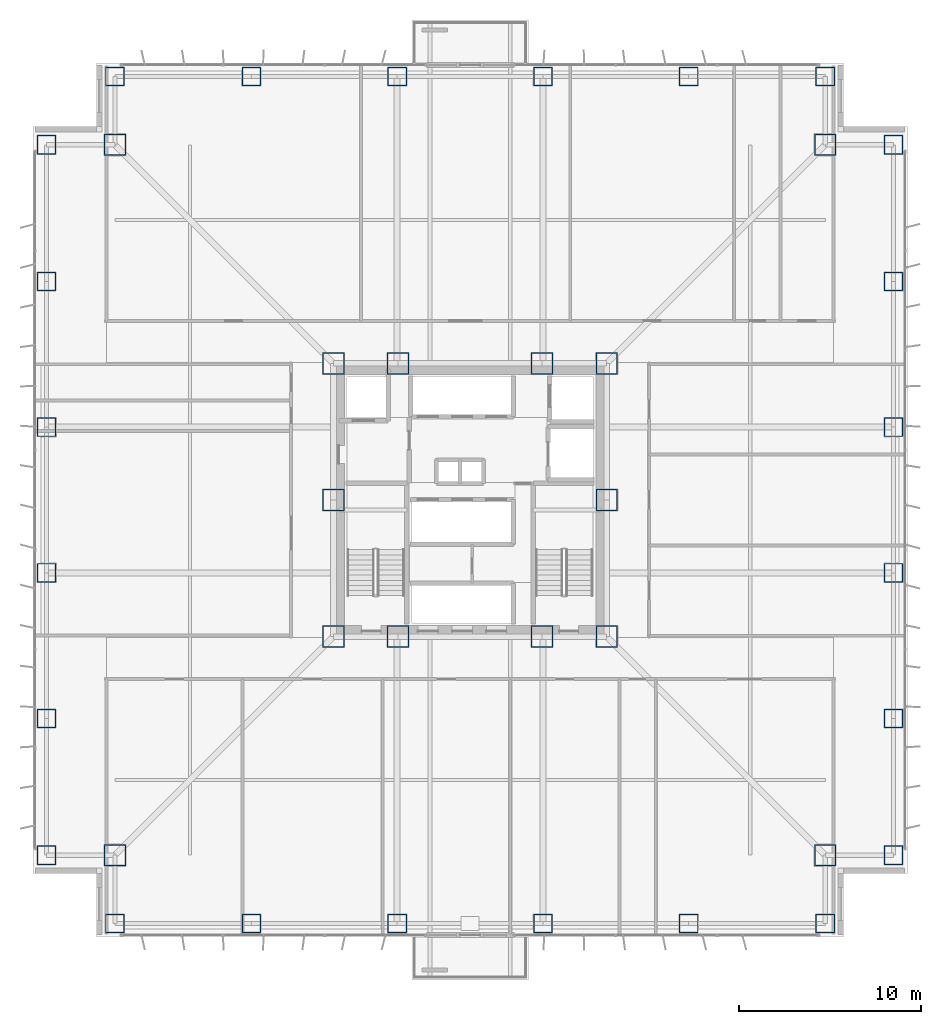
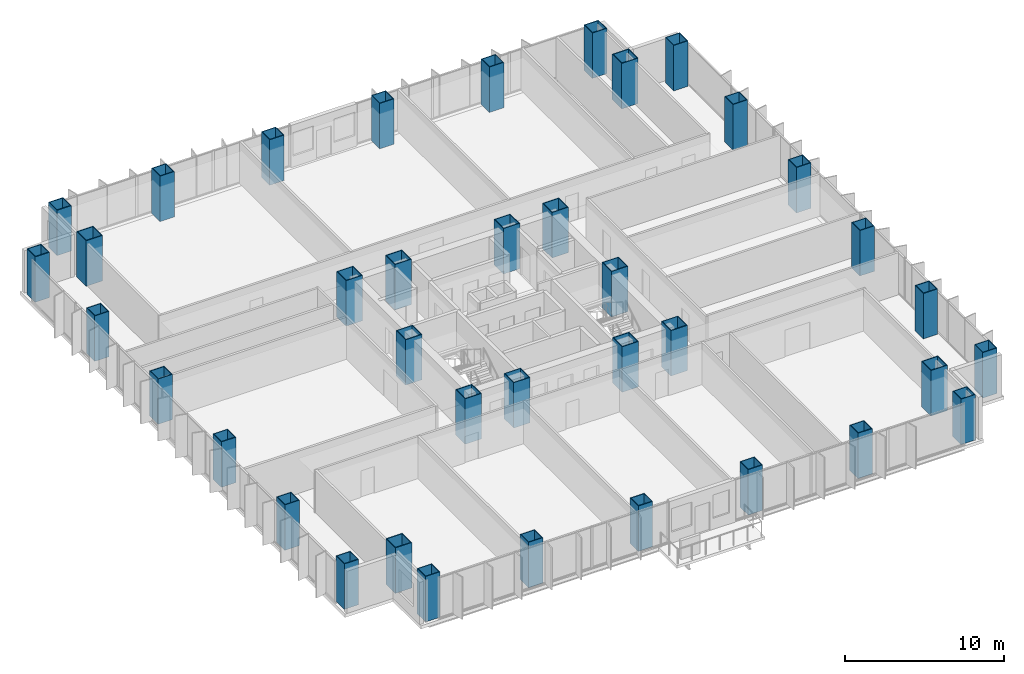
# One storey, part 1 of 21: 38 columns.
"""IFC4 building model written with IfcOpenShell, lengths in metres."""

from ifc_helpers import new_model, si_unit, direction, frame, origin, origin_2d, place, context, subcontext, project, spatial, hollow_rectangle, extrude, material, material_profile, profile_set, type_object, element, save


model = new_model("IFC4")

# Units and contexts
model_context = context("Model", 3, precision=1e-05, world=origin(), true_north=direction((0.0, 1.0)))
body_context = subcontext(model_context, "Body", "Model", "MODEL_VIEW")
ifc_project = project(units=[si_unit("LENGTHUNIT", "METRE"), si_unit("AREAUNIT", "SQUARE_METRE"), si_unit("VOLUMEUNIT", "CUBIC_METRE"), si_unit("PLANEANGLEUNIT", "RADIAN"), si_unit("MASSUNIT", "GRAM", prefix="KILO")], contexts=[model_context])

# Site, building, storey
site_placement = place(None, origin())
site = spatial("IfcSite", under=ifc_project, at=site_placement, CompositionType="ELEMENT")
building_placement = place(site_placement, origin())
building = spatial("IfcBuilding", under=site, at=building_placement, Name="Trevonay Congress Spire", CompositionType="ELEMENT")
storey_placement = place(building_placement, frame((0.0, 0.0, 37.5)))
storey = spatial("IfcBuildingStorey", under=building, at=storey_placement, Name="L08", CompositionType="ELEMENT", Elevation=37.5)

# Columns
ifc_material = material(Name="Steel ASTM A572 Grade 50", Category="steel")
ifc_material_profile_1 = material_profile(ifc_material, hollow_rectangle(XDim=1.199951171875, YDim=1.199951171875, WallThickness=0.054931640625, at=origin_2d()), Name="BOX 1200x1200x55")
ifc_profile_set_1 = profile_set([ifc_material_profile_1], Name="Steel ASTM A572 Grade 50")
column_type_1 = type_object("IfcColumnType", Name="COL-CORE-BOX1200", PredefinedType="COLUMN", material=ifc_profile_set_1)
for number, where, z_axis, x_axis, name in (
    (1, (-7.5, -7.5, 0.0), (0.0, 0.0, 1.0), (1.0, 0.0, 0.0), "L08 column C02 at CC-SW"),
    (2, (-3.949951171875, -7.5, 0.0), (0.0, 0.0, 1.0), (1.0, 0.0, 0.0), "L08 column C02 at CC-SMW"),
    (3, (3.949951171875, -7.5, 0.0), (0.0, 0.0, 1.0), (1.0, 0.0, 0.0), "L08 column C02 at CC-SME"),
    (4, (7.5, -7.5, 0.0), (0.0, 0.0, 1.0), (1.0, 0.0, 0.0), "L08 column C02 at CC-SE"),
    (5, (7.5, 0.0, 0.0), (0.0, 0.0, 1.0), (1.0, 0.0, 0.0), "L08 column C02 at CC-E"),
    (6, (7.5, 7.5, 0.0), (0.0, 0.0, 1.0), (1.0, 0.0, 0.0), "L08 column C02 at CC-NE"),
    (7, (3.949951171875, 7.5, 0.0), (0.0, 0.0, 1.0), (1.0, 0.0, 0.0), "L08 column C02 at CC-NME"),
    (8, (-3.949951171875, 7.5, 0.0), (0.0, 0.0, 1.0), (1.0, 0.0, 0.0), "L08 column C02 at CC-NMW"),
    (9, (-7.5, 7.5, 0.0), (0.0, 0.0, 1.0), (1.0, 0.0, 0.0), "L08 column C02 at CC-NW"),
    (10, (-7.5, 0.0, 0.0), (0.0, 0.0, 1.0), (1.0, 0.0, 0.0), "L08 column C02 at CC-W"),
):
    element("IfcColumn", number, at=place(storey_placement, frame(where, z_axis=z_axis, x_axis=x_axis)), inside=storey, type_object=column_type_1, Name=name, PredefinedType="COLUMN", context=body_context, shape_type="SweptSolid", body=[
        extrude(hollow_rectangle(XDim=1.199951171875, YDim=1.199951171875, WallThickness=0.054931640625, at=origin_2d()), origin(), (0.0, 0.0, 1.0), 3.5),
    ])
ifc_material_profile_2 = material_profile(ifc_material, hollow_rectangle(XDim=1.199951171875, YDim=1.199951171875, WallThickness=0.054931640625, at=origin_2d()), Name="BOX 1200x1200x55")
ifc_profile_set_2 = profile_set([ifc_material_profile_2], Name="Steel ASTM A572 Grade 50")
column_type_2 = type_object("IfcColumnType", Name="COL-NOTCH-BOX1200", PredefinedType="COLUMN", material=ifc_profile_set_2)
for number, where, z_axis, x_axis, name in (
    (11, (-19.5, -19.5, 0.0), (0.0, 0.0, 1.0), (1.0, 0.0, 0.0), "L08 column C19 at NC-SW"),
    (12, (19.5, -19.5, 0.0), (0.0, 0.0, 1.0), (1.0, 0.0, 0.0), "L08 column C19 at NC-SE"),
    (13, (19.5, 19.5, 0.0), (0.0, 0.0, 1.0), (1.0, 0.0, 0.0), "L08 column C19 at NC-NE"),
    (14, (-19.5, 19.5, 0.0), (0.0, 0.0, 1.0), (1.0, 0.0, 0.0), "L08 column C19 at NC-NW"),
):
    element("IfcColumn", number, at=place(storey_placement, frame(where, z_axis=z_axis, x_axis=x_axis)), inside=storey, type_object=column_type_2, Name=name, PredefinedType="COLUMN", context=body_context, shape_type="SweptSolid", body=[
        extrude(hollow_rectangle(XDim=1.199951171875, YDim=1.199951171875, WallThickness=0.054931640625, at=origin_2d()), origin(), (0.0, 0.0, 1.0), 3.5),
    ])
ifc_material_profile_3 = material_profile(ifc_material, hollow_rectangle(XDim=1.050048828125, YDim=1.050048828125, WallThickness=0.050048828125, at=origin_2d()), Name="BOX 1050x1050x50")
ifc_profile_set_3 = profile_set([ifc_material_profile_3], Name="Steel ASTM A572 Grade 50")
column_type_3 = type_object("IfcColumnType", Name="COL-TUBE-BOX1050", PredefinedType="COLUMN", material=ifc_profile_set_3)
for number, where, z_axis, x_axis, name in (
    (15, (-19.5, -23.25, 0.0), (0.0, 0.0, 1.0), (1.0, 0.0, 0.0), "L08 column C14 at TS-1"),
    (16, (-19.5, 23.25, 0.0), (0.0, 0.0, 1.0), (1.0, 0.0, 0.0), "L08 column C14 at TN-1"),
    (17, (-23.25, -19.5, 0.0), (0.0, 0.0, 1.0), (1.0, 0.0, 0.0), "L08 column C14 at TW-1"),
    (18, (23.25, -19.5, 0.0), (0.0, 0.0, 1.0), (1.0, 0.0, 0.0), "L08 column C14 at TE-1"),
    (19, (-12.0, -23.25, 0.0), (0.0, 0.0, 1.0), (1.0, 0.0, 0.0), "L08 column C14 at TS-2"),
    (20, (-12.0, 23.25, 0.0), (0.0, 0.0, 1.0), (1.0, 0.0, 0.0), "L08 column C14 at TN-2"),
    (21, (-23.25, -12.0, 0.0), (0.0, 0.0, 1.0), (1.0, 0.0, 0.0), "L08 column C14 at TW-2"),
    (22, (23.25, -12.0, 0.0), (0.0, 0.0, 1.0), (1.0, 0.0, 0.0), "L08 column C14 at TE-2"),
    (23, (-4.0, -23.25, 0.0), (0.0, 0.0, 1.0), (1.0, 0.0, 0.0), "L08 column C14 at TS-3"),
    (24, (-4.0, 23.25, 0.0), (0.0, 0.0, 1.0), (1.0, 0.0, 0.0), "L08 column C14 at TN-3"),
    (25, (-23.25, -4.0, 0.0), (0.0, 0.0, 1.0), (1.0, 0.0, 0.0), "L08 column C14 at TW-3"),
    (26, (23.25, -4.0, 0.0), (0.0, 0.0, 1.0), (1.0, 0.0, 0.0), "L08 column C14 at TE-3"),
    (27, (4.0, -23.25, 0.0), (0.0, 0.0, 1.0), (1.0, 0.0, 0.0), "L08 column C14 at TS-4"),
    (28, (4.0, 23.25, 0.0), (0.0, 0.0, 1.0), (1.0, 0.0, 0.0), "L08 column C14 at TN-4"),
    (29, (-23.25, 4.0, 0.0), (0.0, 0.0, 1.0), (1.0, 0.0, 0.0), "L08 column C14 at TW-4"),
    (30, (23.25, 4.0, 0.0), (0.0, 0.0, 1.0), (1.0, 0.0, 0.0), "L08 column C14 at TE-4"),
    (31, (12.0, -23.25, 0.0), (0.0, 0.0, 1.0), (1.0, 0.0, 0.0), "L08 column C14 at TS-5"),
    (32, (12.0, 23.25, 0.0), (0.0, 0.0, 1.0), (1.0, 0.0, 0.0), "L08 column C14 at TN-5"),
    (33, (-23.25, 12.0, 0.0), (0.0, 0.0, 1.0), (1.0, 0.0, 0.0), "L08 column C14 at TW-5"),
    (34, (23.25, 12.0, 0.0), (0.0, 0.0, 1.0), (1.0, 0.0, 0.0), "L08 column C14 at TE-5"),
    (35, (19.5, -23.25, 0.0), (0.0, 0.0, 1.0), (1.0, 0.0, 0.0), "L08 column C14 at TS-6"),
    (36, (19.5, 23.25, 0.0), (0.0, 0.0, 1.0), (1.0, 0.0, 0.0), "L08 column C14 at TN-6"),
    (37, (-23.25, 19.5, 0.0), (0.0, 0.0, 1.0), (1.0, 0.0, 0.0), "L08 column C14 at TW-6"),
    (38, (23.25, 19.5, 0.0), (0.0, 0.0, 1.0), (1.0, 0.0, 0.0), "L08 column C14 at TE-6"),
):
    element("IfcColumn", number, at=place(storey_placement, frame(where, z_axis=z_axis, x_axis=x_axis)), inside=storey, type_object=column_type_3, Name=name, PredefinedType="COLUMN", context=body_context, shape_type="SweptSolid", body=[
        extrude(hollow_rectangle(XDim=1.050048828125, YDim=1.050048828125, WallThickness=0.050048828125, at=origin_2d()), origin(), (0.0, 0.0, 1.0), 3.5),
    ])

save(model, "model.ifc")
